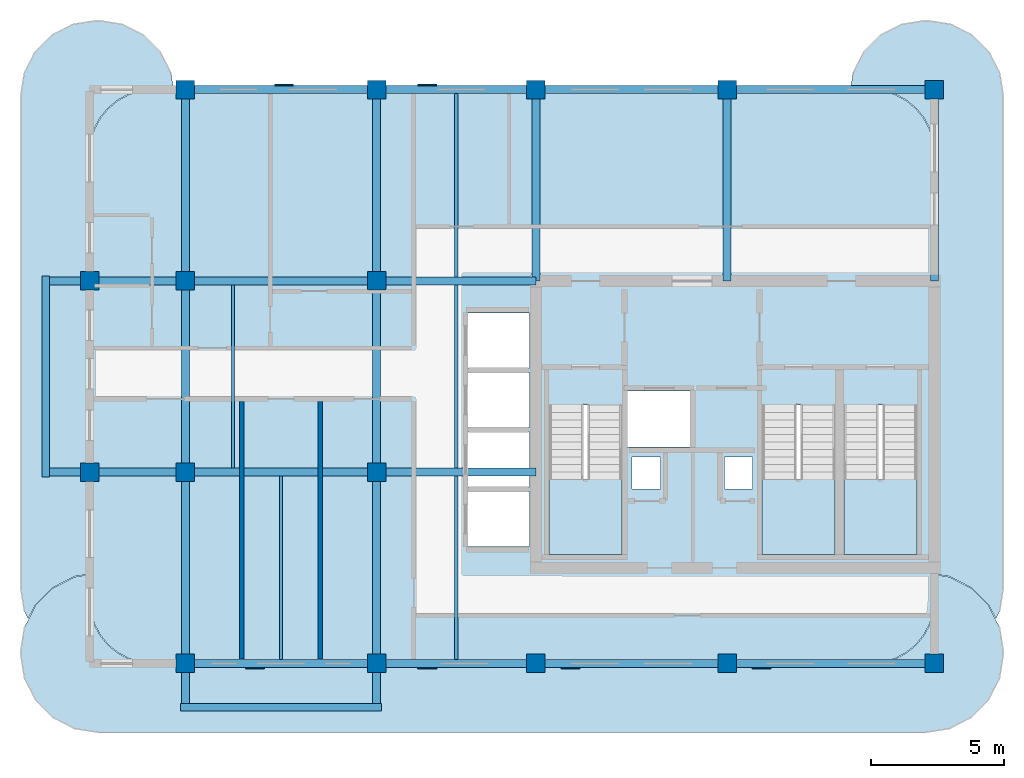
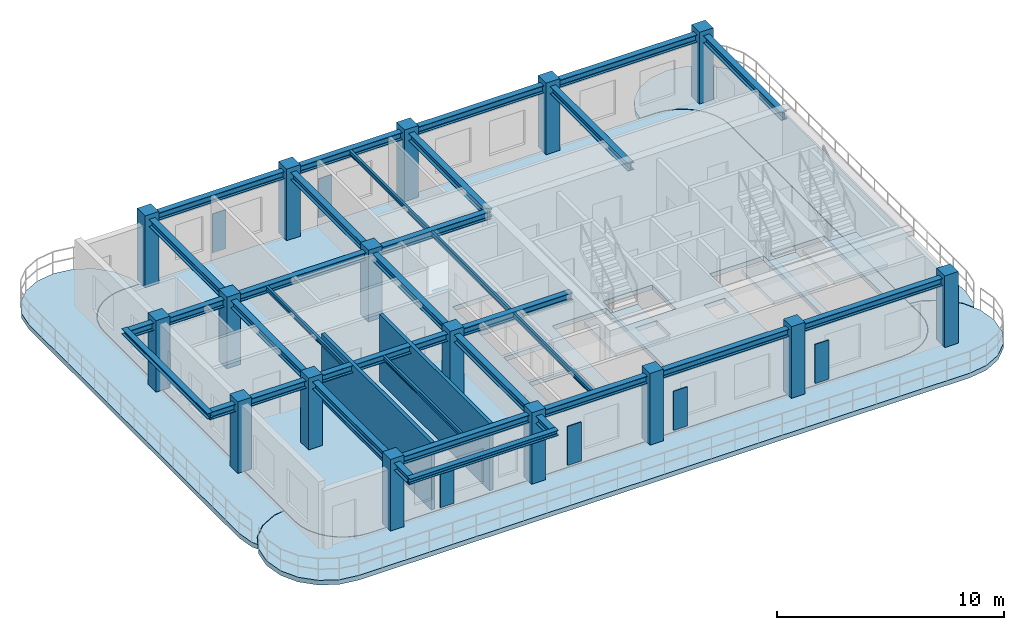
# One storey, part 1 of 7: 28 beams, 16 columns, 7 slabs, 6 plates, 2 walls, 3 elements without a shape of their own.
"""IFC4 building model written with IfcOpenShell, lengths in metres."""

import ifcopenshell
import ifcopenshell.guid

model = None  # the IFC model being written
_history = None  # IfcOwnerHistory: only IFC2X3 demands one
_inside = {}  # id of a spatial element -> (the spatial element, [elements in it])
_under = {}  # id of a project, library or spatial element -> (it, [spatial elements below it])
_declared = {}  # id of a project -> (the project, [libraries it declares])
_typed = {}  # id of a type object -> (the type object, [elements of that type])
_made_of = {}  # id of a material, layer set ... -> (it, [elements and type objects made of it])


def new_model(schema):
    """Start an empty IFC model of exactly this schema.

    Asked for "IFC4X3", IfcOpenShell would pick the latest addendum, in which some entities
    have other attributes; the version numbers below select the first issue.
    IFC2X3 requires an IfcOwnerHistory on every rooted entity: one is made here for all.
    """
    global model, _history
    if schema == "IFC4X3":
        model = ifcopenshell.file(schema_version=(4, 3, 0, 0))
    else:
        model = ifcopenshell.file(schema=schema)
    _inside.clear()
    _under.clear()
    _declared.clear()
    _typed.clear()
    _made_of.clear()
    _history = None
    if model.schema == "IFC2X3":
        org = make("IfcOrganization", Name="unknown")
        user = make(
            "IfcPersonAndOrganization",
            ThePerson=make("IfcPerson", FamilyName="unknown"),
            TheOrganization=org,
        )
        app = make(
            "IfcApplication",
            ApplicationDeveloper=org,
            Version="unknown",
            ApplicationFullName="unknown",
            ApplicationIdentifier="unknown",
        )
        _history = make(
            "IfcOwnerHistory",
            OwningUser=user,
            OwningApplication=app,
            ChangeAction="ADDED",
            CreationDate=0,
        )
    return model


def make(cls, **values):
    """One entity of the class cls with the attributes given. An attribute that is None is left unset."""
    return model.create_entity(
        cls, **{name: value for name, value in values.items() if value is not None}
    )


def rooted(cls, **values):
    """An entity with a GlobalId (a new one), such as an element, a storey or a relation."""
    return make(cls, GlobalId=ifcopenshell.guid.new(), OwnerHistory=_history, **values)


def si_unit(unit_type, name, prefix=None):
    """IfcSIUnit, for example si_unit("LENGTHUNIT", "METRE", prefix="MILLI")."""
    return make("IfcSIUnit", UnitType=unit_type, Prefix=prefix, Name=name)


def derived_unit(unit_type, elements):
    """IfcDerivedUnit: a product of units, each with its exponent."""
    return make(
        "IfcDerivedUnit",
        Elements=[
            make("IfcDerivedUnitElement", Unit=unit, Exponent=power)
            for unit, power in elements
        ],
        UnitType=unit_type,
    )


def assignment(units):
    """IfcUnitAssignment: the units of a project."""
    return None if units is None else make("IfcUnitAssignment", Units=units)


def point(xyz):
    """IfcCartesianPoint."""
    return None if xyz is None else make("IfcCartesianPoint", Coordinates=xyz)


def direction(xyz):
    """IfcDirection."""
    return None if xyz is None else make("IfcDirection", DirectionRatios=xyz)


def frame(location, z_axis=None, x_axis=None):
    """IfcAxis2Placement3D, a coordinate frame: its origin and axes. An axis left out is left unset."""
    return make(
        "IfcAxis2Placement3D",
        Location=point(location),
        Axis=direction(z_axis),
        RefDirection=direction(x_axis),
    )


def frame_2d(location, x_axis=None):
    """IfcAxis2Placement2D, a coordinate frame in the plane: its origin and x axis."""
    return make(
        "IfcAxis2Placement2D", Location=point(location), RefDirection=direction(x_axis)
    )


def origin():
    """The frame at (0, 0, 0) with its axes left unset."""
    return frame((0.0, 0.0, 0.0))


def origin_2d():
    """The frame at (0, 0) in the plane with its x axis left unset."""
    return frame_2d((0.0, 0.0))


def place(relative_to, where):
    """IfcLocalPlacement: puts the frame where relative to a parent placement (None: the world)."""
    return make(
        "IfcLocalPlacement", PlacementRelTo=relative_to, RelativePlacement=where
    )


def context(
    kind, dimensions, precision=None, world=None, true_north=None, identifier=None
):
    """IfcGeometricRepresentationContext, for example the 3D "Model" context."""
    return make(
        "IfcGeometricRepresentationContext",
        ContextIdentifier=identifier,
        ContextType=kind,
        CoordinateSpaceDimension=dimensions,
        Precision=precision,
        WorldCoordinateSystem=world,
        TrueNorth=true_north,
    )


def subcontext(parent, identifier, kind, view, scale=None):
    """IfcGeometricRepresentationSubContext, for example "Body" below "Model"."""
    return make(
        "IfcGeometricRepresentationSubContext",
        ContextIdentifier=identifier,
        ContextType=kind,
        ParentContext=parent,
        TargetScale=scale,
        TargetView=view,
    )


def project(units=None, contexts=None):
    """IfcProject with its units and contexts."""
    return rooted(
        "IfcProject",
        Name="project",
        RepresentationContexts=contexts,
        UnitsInContext=assignment(units),
    )


def spatial(cls, under=None, at=None, **own):
    """A site, building, storey or space (cls), placed at a placement, below another one or the project."""
    s = rooted(cls, ObjectPlacement=at, **own)
    if under is not None:
        _under.setdefault(under.id(), (under, []))[1].append(s)
    return s


def polyline(points):
    """IfcPolyline through the points."""
    return make("IfcPolyline", Points=[point(p) for p in points])


def profile(cls, at=None, kind="AREA", **sizes):
    """A parametric profile (cls). Its sizes go by their IFC names, for example OverallWidth=200.0."""
    return make(cls, ProfileType=kind, Position=at, **sizes)


def rectangle(**sizes):
    """IfcRectangleProfileDef."""
    return profile("IfcRectangleProfileDef", **sizes)


def i_section(**sizes):
    """IfcIShapeProfileDef."""
    return profile("IfcIShapeProfileDef", **sizes)


def outline(outer, holes=None, kind="AREA"):
    """IfcArbitraryClosedProfileDef: a profile drawn as a closed curve; with holes, ...WithVoids."""
    if holes is None:
        return make("IfcArbitraryClosedProfileDef", ProfileType=kind, OuterCurve=outer)
    return make(
        "IfcArbitraryProfileDefWithVoids",
        ProfileType=kind,
        OuterCurve=outer,
        InnerCurves=holes,
    )


def extrude(swept, where, along, depth):
    """IfcExtrudedAreaSolid: the profile swept, set in the frame where, extruded along a direction by depth."""
    return make(
        "IfcExtrudedAreaSolid",
        SweptArea=swept,
        Position=where,
        ExtrudedDirection=direction(along),
        Depth=depth,
    )


def shape(context_of_items, identifier, shape_type, items):
    """IfcShapeRepresentation: the items that make up one representation, for example the "Body"."""
    return make(
        "IfcShapeRepresentation",
        ContextOfItems=context_of_items,
        RepresentationIdentifier=identifier,
        RepresentationType=shape_type,
        Items=items,
    )


def source(mapping_origin, context_of_items, identifier, shape_type, items):
    """IfcRepresentationMap: a shape defined once, which mapped items show again and again."""
    return make(
        "IfcRepresentationMap",
        MappingOrigin=mapping_origin,
        MappedRepresentation=shape(context_of_items, identifier, shape_type, items),
    )


def transform(
    local_origin,
    x_axis=None,
    y_axis=None,
    z_axis=None,
    scale=None,
    scale2=None,
    scale3=None,
    uniform=True,
):
    """IfcCartesianTransformationOperator3D, or its non-uniform kind. x_axis, y_axis, z_axis: its Axis1, 2, 3."""
    if uniform:
        return make(
            "IfcCartesianTransformationOperator3D",
            Axis1=direction(x_axis),
            Axis2=direction(y_axis),
            LocalOrigin=point(local_origin),
            Scale=scale,
            Axis3=direction(z_axis),
        )
    return make(
        "IfcCartesianTransformationOperator3DnonUniform",
        Axis1=direction(x_axis),
        Axis2=direction(y_axis),
        LocalOrigin=point(local_origin),
        Scale=scale,
        Axis3=direction(z_axis),
        Scale2=scale2,
        Scale3=scale3,
    )


def mapped(mapping_source, mapping_target):
    """IfcMappedItem: shows the shape of a source again, moved by a transform."""
    return make(
        "IfcMappedItem", MappingSource=mapping_source, MappingTarget=mapping_target
    )


def material(Name=None, Category=None):
    """IfcMaterial."""
    return make("IfcMaterial", Name=Name, Category=Category)


def layer(
    of_material, thickness, ventilated=None, Name=None, Category=None, Priority=None
):
    """IfcMaterialLayer: one layer of a wall or slab, of a material (None: an air gap)."""
    return make(
        "IfcMaterialLayer",
        Material=of_material,
        LayerThickness=thickness,
        IsVentilated=ventilated,
        Name=Name,
        Category=Category,
        Priority=Priority,
    )


def layer_set(layers, Name=None):
    """IfcMaterialLayerSet."""
    return make("IfcMaterialLayerSet", MaterialLayers=layers, LayerSetName=Name)


def material_profile(
    of_material, cross_section, Name=None, Category=None, Priority=None
):
    """IfcMaterialProfile: a cross section and its material."""
    return make(
        "IfcMaterialProfile",
        Name=Name,
        Material=of_material,
        Profile=cross_section,
        Priority=Priority,
        Category=Category,
    )


def profile_set(profiles, Name=None, composite=None):
    """IfcMaterialProfileSet."""
    return make(
        "IfcMaterialProfileSet",
        Name=Name,
        MaterialProfiles=profiles,
        CompositeProfile=composite,
    )


def made_of(thing, what):
    """Note that an element or type object is made of a material, layer set ...; save() writes the relation."""
    if what is not None:
        _made_of.setdefault(what.id(), (what, []))[1].append(thing)
    return thing


def type_object(cls, material=None, **own):
    """A type object (cls), such as IfcWallType, which elements share."""
    return made_of(rooted(cls, **own), material)


def type_shapes(of_type, sources):
    """Give a type object the sources (RepresentationMaps) that its elements show as mapped items."""
    of_type.RepresentationMaps = sources


def element(
    cls,
    number,
    at=None,
    inside=None,
    cuts=None,
    type_object=None,
    material=None,
    context=None,
    identifier="Body",
    shape_type=None,
    held_by="IfcProductDefinitionShape",
    body=None,
    shapes=None,
    **own,
):
    """One element of the class cls, such as IfcWall. Its Tag is "e" and its number.

    at: its placement. inside: the storey or other place that contains it. cuts: it is an
    opening in that element (IfcRelVoidsElement). A single representation is given by context,
    identifier, shape_type and body (its items); several are given by shapes. held_by: the class
    of the entity that holds the representations. save() writes the other relations.
    """
    e = rooted(cls, Tag="e%d" % number, ObjectPlacement=at, **own)
    if body is not None:
        shapes = [shape(context, identifier, shape_type, body)]
    if shapes is not None:
        e.Representation = make(held_by, Representations=shapes)
    if inside is not None:
        _inside.setdefault(inside.id(), (inside, []))[1].append(e)
    if cuts is not None:
        rooted(
            "IfcRelVoidsElement", RelatingBuildingElement=cuts, RelatedOpeningElement=e
        )
    if type_object is not None:
        _typed.setdefault(type_object.id(), (type_object, []))[1].append(e)
    return made_of(e, material)


def aggregate(whole, parts):
    """IfcRelAggregates: a whole, such as a stair, and the parts it consists of."""
    return rooted("IfcRelAggregates", RelatingObject=whole, RelatedObjects=parts)


def save(model, path):
    """Write the relations noted so far, then the file.

    IfcRelAggregates (storeys below a building ...), IfcRelContainedInSpatialStructure (elements
    in a storey), IfcRelDefinesByType, IfcRelAssociatesMaterial and IfcRelDeclares: one each for
    every whole, place, type object, material and project.
    """
    for whole, parts in _under.values():
        aggregate(whole, parts)
    for where, things in _inside.values():
        rooted(
            "IfcRelContainedInSpatialStructure",
            RelatedElements=things,
            RelatingStructure=where,
        )
    for kind, things in _typed.values():
        rooted("IfcRelDefinesByType", RelatedObjects=things, RelatingType=kind)
    for what, things in _made_of.values():
        rooted("IfcRelAssociatesMaterial", RelatedObjects=things, RelatingMaterial=what)
    for by, libraries in _declared.values():
        rooted("IfcRelDeclares", RelatingContext=by, RelatedDefinitions=libraries)
    model.write(path)


model = new_model("IFC4")

# Units and contexts
model_context = context("Model", 3, precision=1e-05, world=origin(), true_north=direction((0.0, 1.0)))
body_context = subcontext(model_context, "Body", "Model", "MODEL_VIEW")
ifc_project = project(units=[si_unit("LENGTHUNIT", "METRE"), si_unit("AREAUNIT", "SQUARE_METRE"), si_unit("VOLUMEUNIT", "CUBIC_METRE"), si_unit("PLANEANGLEUNIT", "RADIAN"), si_unit("MASSUNIT", "GRAM", prefix="KILO"), si_unit("THERMODYNAMICTEMPERATUREUNIT", "KELVIN"), si_unit("POWERUNIT", "WATT"), derived_unit("THERMALTRANSMITTANCEUNIT", [(si_unit("POWERUNIT", "WATT"), 1), (si_unit("AREAUNIT", "SQUARE_METRE"), -1), (si_unit("THERMODYNAMICTEMPERATUREUNIT", "KELVIN"), -1)])], contexts=[model_context])

# Site, building, storey
site_placement = place(None, origin())
site = spatial("IfcSite", under=ifc_project, at=site_placement, CompositionType="ELEMENT")
building_placement = place(site_placement, origin())
building = spatial("IfcBuilding", under=site, at=building_placement, Name="Zahravan Archway Hotel and Residences", CompositionType="ELEMENT")
storey_placement = place(building_placement, frame((0.0, 0.0, 278.89990234375)))
storey = spatial("IfcBuildingStorey", under=building, at=storey_placement, Name="L70", CompositionType="ELEMENT", Elevation=278.89990234375)

# Columns
ifc_material_1 = material(Name="Concrete C50/60", Category="concrete")
ifc_material_profile_1 = material_profile(ifc_material_1, rectangle(XDim=0.699951171875, YDim=0.699951171875, at=origin_2d()), Name="RC-COL-700x700", Category="concrete")
ifc_profile_set_1 = profile_set([ifc_material_profile_1], Name="Concrete C50/60")
column_type = type_object("IfcColumnType", Name="COL-RC-700", PredefinedType="COLUMN", material=ifc_profile_set_1)
shared_shape_1 = source(origin(), body_context, "Body", "SweptSolid", [
    extrude(rectangle(XDim=0.699951171875, YDim=0.699951171875, at=origin_2d()), origin(), (0.0, 0.0, 1.0), 3.85009765625),
])
for number, where, z_axis, x_axis, name in (
    (1, (21.60009765625, 0.0, 0.0), (0.0, 0.0, 1.0), (1.0, 0.0, 0.0), "L70 Column 4-A"),
    (2, (21.60009765625, 7.199951171875, 0.0), (0.0, 0.0, 1.0), (1.0, 0.0, 0.0), "L70 Column 4-B"),
    (3, (21.60009765625, 14.39990234375, 0.0), (0.0, 0.0, 1.0), (1.0, 0.0, 0.0), "L70 Column 4-C"),
    (4, (21.60009765625, 21.60009765625, 0.0), (0.0, 0.0, 1.0), (1.0, 0.0, 0.0), "L70 Column 4-D"),
    (5, (28.800048828125, 0.0, 0.0), (0.0, 0.0, 1.0), (1.0, 0.0, 0.0), "L70 Column 5-A"),
    (6, (28.800048828125, 7.199951171875, 0.0), (0.0, 0.0, 1.0), (1.0, 0.0, 0.0), "L70 Column 5-B"),
    (7, (28.800048828125, 14.39990234375, 0.0), (0.0, 0.0, 1.0), (1.0, 0.0, 0.0), "L70 Column 5-C"),
    (8, (28.800048828125, 21.60009765625, 0.0), (0.0, 0.0, 1.0), (1.0, 0.0, 0.0), "L70 Column 5-D"),
    (9, (34.800048828125, 0.0, 0.0), (0.0, 0.0, 1.0), (1.0, 0.0, 0.0), "L70 Column 6-A"),
    (10, (34.800048828125, 21.60009765625, 0.0), (0.0, 0.0, 1.0), (1.0, 0.0, 0.0), "L70 Column 6-D"),
    (11, (42.0, 0.0, 0.0), (0.0, 0.0, 1.0), (1.0, 0.0, 0.0), "L70 Column 7-A"),
    (12, (42.0, 21.60009765625, 0.0), (0.0, 0.0, 1.0), (1.0, 0.0, 0.0), "L70 Column 7-D"),
    (13, (49.800048828125, 0.0, 0.0), (0.0, 0.0, 1.0), (1.0, 0.0, 0.0), "L70 Column 8-A"),
    (14, (49.800048828125, 21.60009765625, 0.0), (0.0, 0.0, 1.0), (1.0, 0.0, 0.0), "L70 Column 8-D"),
    (15, (18.0, 7.199951171875, 0.0), (0.0, 0.0, 1.0), (1.0, 0.0, 0.0), "L70 Column 3W-B"),
    (16, (18.0, 14.39990234375, 0.0), (0.0, 0.0, 1.0), (1.0, 0.0, 0.0), "L70 Column 3W-C"),
):
    element("IfcColumn", number, at=place(storey_placement, frame(where, z_axis=z_axis, x_axis=x_axis)), inside=storey, type_object=column_type, Name=name, PredefinedType="COLUMN", context=body_context, shape_type="MappedRepresentation", body=[
        mapped(shared_shape_1, transform((0.0, 0.0, 0.0), scale=1.0)),
    ])

# Beams
ifc_material_2 = material(Name="Structural Steel S355JR", Category="steel")
ifc_material_profile_2 = material_profile(ifc_material_2, i_section(OverallWidth=0.280029296875, OverallDepth=0.280029296875, WebThickness=0.010498046875, FlangeThickness=0.01806640625, FilletRadius=0.02392578125, at=origin_2d()), Name="HEB 280", Category="steel")
ifc_profile_set_2 = profile_set([ifc_material_profile_2], Name="Structural Steel S355JR")
beam_type_1 = type_object("IfcBeamType", Name="BM-SPN-HEB280", PredefinedType="SPANDREL", material=ifc_profile_set_2)
shared_shape_2 = source(origin(), body_context, "Body", "SweptSolid", [
    extrude(i_section(OverallWidth=0.280029296875, OverallDepth=0.280029296875, WebThickness=0.010498046875, FlangeThickness=0.01806640625, FilletRadius=0.02392578125, at=origin_2d()), origin(), (0.0, 0.0, 1.0), 7.56005859375),
])
type_shapes(beam_type_1, [shared_shape_2])
for number, where, z_axis, x_axis, name in (
    (17, (16.35009765625, 7.02001953125, 3.460205078125), (0.0, 1.0, 0.0), (-1.0, 0.0, 0.0), "L71 WA Balcony Edge Spandrel"),
    (18, (21.419921875, -1.64990234375, 3.460205078125), (1.0, 0.0, 0.0), (0.0, 1.0, 0.0), "L71 SA Balcony Edge Spandrel"),
):
    element("IfcBeam", number, at=place(storey_placement, frame(where, z_axis=z_axis, x_axis=x_axis)), inside=storey, type_object=beam_type_1, Name=name, PredefinedType="SPANDREL", context=body_context, shape_type="MappedRepresentation", body=[
        mapped(shared_shape_2, transform((0.0, 0.0, 0.0), scale=1.0)),
    ])
ifc_material_profile_3 = material_profile(ifc_material_2, i_section(OverallWidth=0.300048828125, OverallDepth=0.39990234375, WebThickness=0.013427734375, FlangeThickness=0.02392578125, FilletRadius=0.027099609375, at=origin_2d()), Name="HEB 400", Category="steel")
ifc_profile_set_3 = profile_set([ifc_material_profile_3], Name="Structural Steel S355JR")
beam_type_2 = type_object("IfcBeamType", Name="BM-PRI-HEB400", PredefinedType="BEAM", material=ifc_profile_set_3)
shared_shape_3 = source(origin(), body_context, "Body", "SweptSolid", [
    extrude(i_section(OverallWidth=0.300048828125, OverallDepth=0.39990234375, WebThickness=0.013427734375, FlangeThickness=0.02392578125, FilletRadius=0.027099609375, at=origin_2d()), origin(), (0.0, 0.0, 1.0), 7.199951171875),
])
type_shapes(beam_type_2, [shared_shape_3])
for number, where, z_axis, x_axis, name in (
    (19, (21.60009765625, 0.0, 3.400146484375), (1.0, 0.0, 0.0), (0.0, 1.0, 0.0), "L70 Primary Girder EW-01"),
    (20, (34.800048828125, 0.0, 3.400146484375), (1.0, 0.0, 0.0), (0.0, 1.0, 0.0), "L70 Primary Girder EW-03"),
    (21, (21.60009765625, 21.60009765625, 3.400146484375), (1.0, 0.0, 0.0), (0.0, 1.0, 0.0), "L70 Primary Girder EW-09"),
    (22, (34.800048828125, 21.60009765625, 3.400146484375), (1.0, 0.0, 0.0), (0.0, 1.0, 0.0), "L70 Primary Girder EW-11"),
    (23, (21.60009765625, 7.199951171875, 3.400146484375), (0.0, 1.0, 0.0), (-1.0, 0.0, 0.0), "L70 Primary Girder NS-14"),
    (24, (28.800048828125, 7.199951171875, 3.400146484375), (0.0, 1.0, 0.0), (-1.0, 0.0, 0.0), "L70 Primary Girder NS-17"),
):
    element("IfcBeam", number, at=place(storey_placement, frame(where, z_axis=z_axis, x_axis=x_axis)), inside=storey, type_object=beam_type_2, Name=name, PredefinedType="BEAM", context=body_context, shape_type="MappedRepresentation", body=[
        mapped(shared_shape_3, transform((0.0, 0.0, 0.0), scale=1.0)),
    ])
shared_shape_4 = source(origin(), body_context, "Body", "SweptSolid", [
    extrude(i_section(OverallWidth=0.300048828125, OverallDepth=0.39990234375, WebThickness=0.013427734375, FlangeThickness=0.02392578125, FilletRadius=0.027099609375, at=origin_2d()), origin(), (0.0, 0.0, 1.0), 6.0),
])
for number, where, z_axis, x_axis, name in (
    (25, (28.800048828125, 0.0, 3.400146484375), (1.0, 0.0, 0.0), (0.0, 1.0, 0.0), "L70 Primary Girder EW-02"),
    (26, (28.800048828125, 7.199951171875, 3.400146484375), (1.0, 0.0, 0.0), (0.0, 1.0, 0.0), "L70 Primary Girder EW-06"),
    (27, (28.800048828125, 14.39990234375, 3.400146484375), (1.0, 0.0, 0.0), (0.0, 1.0, 0.0), "L70 Primary Girder EW-08"),
    (28, (28.800048828125, 21.60009765625, 3.400146484375), (1.0, 0.0, 0.0), (0.0, 1.0, 0.0), "L70 Primary Girder EW-10"),
):
    element("IfcBeam", number, at=place(storey_placement, frame(where, z_axis=z_axis, x_axis=x_axis)), inside=storey, type_object=beam_type_2, Name=name, PredefinedType="BEAM", context=body_context, shape_type="MappedRepresentation", body=[
        mapped(shared_shape_4, transform((0.0, 0.0, 0.0), scale=1.0)),
    ])
shared_shape_5 = source(origin(), body_context, "Body", "SweptSolid", [
    extrude(i_section(OverallWidth=0.300048828125, OverallDepth=0.39990234375, WebThickness=0.013427734375, FlangeThickness=0.02392578125, FilletRadius=0.027099609375, at=origin_2d()), origin(), (0.0, 0.0, 1.0), 7.800048828125),
])
for number, where, z_axis, x_axis, name in (
    (29, (42.0, 0.0, 3.400146484375), (1.0, 0.0, 0.0), (0.0, 1.0, 0.0), "L70 Primary Girder EW-04"),
    (30, (42.0, 21.60009765625, 3.400146484375), (1.0, 0.0, 0.0), (0.0, 1.0, 0.0), "L70 Primary Girder EW-12"),
):
    element("IfcBeam", number, at=place(storey_placement, frame(where, z_axis=z_axis, x_axis=x_axis)), inside=storey, type_object=beam_type_2, Name=name, PredefinedType="BEAM", context=body_context, shape_type="MappedRepresentation", body=[
        mapped(shared_shape_5, transform((0.0, 0.0, 0.0), scale=1.0)),
    ])
shared_shape_6 = source(origin(), body_context, "Body", "SweptSolid", [
    extrude(i_section(OverallWidth=0.300048828125, OverallDepth=0.39990234375, WebThickness=0.013427734375, FlangeThickness=0.02392578125, FilletRadius=0.027099609375, at=origin_2d()), origin(), (0.0, 0.0, 1.0), 7.2001953125),
])
for number, where, z_axis, x_axis, name in (
    (31, (21.60009765625, 14.39990234375, 3.400146484375), (0.0, 1.0, 0.0), (-1.0, 0.0, 0.0), "L70 Primary Girder NS-15"),
    (32, (28.800048828125, 14.39990234375, 3.400146484375), (0.0, 1.0, 0.0), (-1.0, 0.0, 0.0), "L70 Primary Girder NS-18"),
    (33, (34.800048828125, 14.39990234375, 3.400146484375), (0.0, 1.0, 0.0), (-1.0, 0.0, 0.0), "L70 Primary Girder NS-19"),
    (34, (42.0, 14.39990234375, 3.400146484375), (0.0, 1.0, 0.0), (-1.0, 0.0, 0.0), "L70 Primary Girder NS-20"),
    (35, (49.800048828125, 14.39990234375, 3.400146484375), (0.0, 1.0, 0.0), (-1.0, 0.0, 0.0), "L70 Primary Girder NS-21"),
):
    element("IfcBeam", number, at=place(storey_placement, frame(where, z_axis=z_axis, x_axis=x_axis)), inside=storey, type_object=beam_type_2, Name=name, PredefinedType="BEAM", context=body_context, shape_type="MappedRepresentation", body=[
        mapped(shared_shape_6, transform((0.0, 0.0, 0.0), scale=1.0)),
    ])
ifc_material_profile_4 = material_profile(ifc_material_2, i_section(OverallWidth=0.1201171875, OverallDepth=0.239990234375, WebThickness=0.006103515625, FlangeThickness=0.009765625, FilletRadius=0.014892578125, at=origin_2d()), Name="IPE 240", Category="steel")
ifc_profile_set_4 = profile_set([ifc_material_profile_4], Name="Structural Steel S355JR")
beam_type_3 = type_object("IfcBeamType", Name="BM-JST-IPE240", PredefinedType="JOIST", material=ifc_profile_set_4)
shared_shape_7 = source(origin(), body_context, "Body", "SweptSolid", [
    extrude(i_section(OverallWidth=0.1201171875, OverallDepth=0.239990234375, WebThickness=0.006103515625, FlangeThickness=0.009765625, FilletRadius=0.014892578125, at=origin_2d()), origin(), (0.0, 0.0, 1.0), 6.904052734375),
])
type_shapes(beam_type_3, [shared_shape_7])
for number, where, z_axis, x_axis, name in (
    (36, (25.199951171875, 0.14794921875, 3.47998046875), (0.0, 1.0, 0.0), (-1.0, 0.0, 0.0), "L70 Composite Floor Joist 01"),
    (37, (31.800048828125, 0.14794921875, 3.47998046875), (0.0, 1.0, 0.0), (-1.0, 0.0, 0.0), "L70 Composite Floor Joist 02"),
    (38, (23.39990234375, 7.347900390625, 3.47998046875), (0.0, 1.0, 0.0), (-1.0, 0.0, 0.0), "L70 Composite Floor Joist 03"),
    (39, (31.800048828125, 7.347900390625, 3.47998046875), (0.0, 1.0, 0.0), (-1.0, 0.0, 0.0), "L70 Composite Floor Joist 04"),
):
    element("IfcBeam", number, at=place(storey_placement, frame(where, z_axis=z_axis, x_axis=x_axis)), inside=storey, type_object=beam_type_3, Name=name, PredefinedType="JOIST", context=body_context, shape_type="MappedRepresentation", body=[
        mapped(shared_shape_7, transform((0.0, 0.0, 0.0), scale=1.0)),
    ])
shared_shape_8 = source(origin(), body_context, "Body", "SweptSolid", [
    extrude(i_section(OverallWidth=0.1201171875, OverallDepth=0.239990234375, WebThickness=0.006103515625, FlangeThickness=0.009765625, FilletRadius=0.014892578125, at=origin_2d()), origin(), (0.0, 0.0, 1.0), 6.90380859375),
])
beam_placement = place(storey_placement, frame((31.800048828125, 14.548095703125, 3.47998046875), z_axis=(0.0, 1.0, 0.0), x_axis=(-1.0, 0.0, 0.0)))
element("IfcBeam", 40, at=beam_placement, inside=storey, type_object=beam_type_3, Name="L70 Composite Floor Joist 05", PredefinedType="JOIST", context=body_context, shape_type="MappedRepresentation", body=[
    mapped(shared_shape_8, transform((0.0, 0.0, 0.0), scale=1.0)),
])
shared_shape_9 = source(origin(), body_context, "Body", "SweptSolid", [
    extrude(i_section(OverallWidth=0.300048828125, OverallDepth=0.39990234375, WebThickness=0.013427734375, FlangeThickness=0.02392578125, FilletRadius=0.027099609375, at=origin_2d()), origin(), (0.0, 0.0, 1.0), 12.449951171875),
])
for number, where, z_axis, x_axis, name in (
    (41, (16.35009765625, 7.199951171875, 3.400146484375), (1.0, 0.0, 0.0), (0.0, 1.0, 0.0), "L70 Primary Girder EW-05"),
    (42, (16.35009765625, 14.39990234375, 3.400146484375), (1.0, 0.0, 0.0), (0.0, 1.0, 0.0), "L70 Primary Girder EW-07"),
):
    element("IfcBeam", number, at=place(storey_placement, frame(where, z_axis=z_axis, x_axis=x_axis)), inside=storey, type_object=beam_type_2, Name=name, PredefinedType="BEAM", context=body_context, shape_type="MappedRepresentation", body=[
        mapped(shared_shape_9, transform((0.0, 0.0, 0.0), scale=1.0)),
    ])
shared_shape_10 = source(origin(), body_context, "Body", "SweptSolid", [
    extrude(i_section(OverallWidth=0.300048828125, OverallDepth=0.39990234375, WebThickness=0.013427734375, FlangeThickness=0.02392578125, FilletRadius=0.027099609375, at=origin_2d()), origin(), (0.0, 0.0, 1.0), 8.849853515625),
])
for number, where, z_axis, x_axis, name in (
    (43, (21.60009765625, -1.64990234375, 3.400146484375), (0.0, 1.0, 0.0), (-1.0, 0.0, 0.0), "L70 Primary Girder NS-13"),
    (44, (28.800048828125, -1.64990234375, 3.400146484375), (0.0, 1.0, 0.0), (-1.0, 0.0, 0.0), "L70 Primary Girder NS-16"),
):
    element("IfcBeam", number, at=place(storey_placement, frame(where, z_axis=z_axis, x_axis=x_axis)), inside=storey, type_object=beam_type_2, Name=name, PredefinedType="BEAM", context=body_context, shape_type="MappedRepresentation", body=[
        mapped(shared_shape_10, transform((0.0, 0.0, 0.0), scale=1.0)),
    ])

# Slabs
ifc_material_3 = material(Name="Concrete C45/55", Category="concrete")
ifc_layer_1 = layer(ifc_material_3, 0.25, Name="Concrete C45/55", Category="concrete")
ifc_layer_set_1 = layer_set([ifc_layer_1], Name="Concrete C45/55")
slab_type_1 = type_object("IfcSlabType", Name="SLB-BALC-250", PredefinedType="FLOOR", material=ifc_layer_set_1)
slab_1_placement = place(storey_placement, frame((0.0, 0.0, -0.25)))
element("IfcSlab", 45, at=slab_1_placement, inside=storey, type_object=slab_type_1, Name="L70 Wing A South Rounded Balcony Band", PredefinedType="FLOOR", context=body_context, shape_type="SweptSolid", body=[
    extrude(outline(polyline([(50.361572265625, 3.255615234375), (51.18408203125, 2.836669921875), (51.836669921875, 2.18408203125), (52.255615234375, 1.361572265625), (52.39990234375, 0.449951171875), (52.39990234375, 0.35009765625), (52.255615234375, -0.5615234375), (51.836669921875, -1.384033203125), (51.18408203125, -2.03662109375), (50.361572265625, -2.45556640625), (49.449951171875, -2.60009765625), (18.35009765625, -2.60009765625), (17.4384765625, -2.45556640625), (16.615966796875, -2.03662109375), (15.96337890625, -1.384033203125), (15.54443359375, -0.5615234375), (15.39990234375, 0.35009765625), (15.39990234375, 0.449951171875), (15.54443359375, 1.361572265625), (15.96337890625, 2.18408203125), (16.615966796875, 2.836669921875), (17.4384765625, 3.255615234375), (17.97998046875, 3.34130859375), (17.97998046875, 2.39990234375), (17.97998046875, 2.39794921875), (18.026123046875, 1.9296875), (18.026611328125, 1.927978515625), (18.027099609375, 1.926025390625), (18.16357421875, 1.475830078125), (18.164306640625, 1.473876953125), (18.1650390625, 1.47216796875), (18.386962890625, 1.05712890625), (18.387939453125, 1.055419921875), (18.388916015625, 1.053955078125), (18.6875, 0.690185546875), (18.688720703125, 0.688720703125), (18.690185546875, 0.6875), (19.053955078125, 0.388916015625), (19.055419921875, 0.387939453125), (19.05712890625, 0.386962890625), (19.47216796875, 0.1650390625), (19.473876953125, 0.164306640625), (19.475830078125, 0.16357421875), (19.926025390625, 0.027099609375), (19.927978515625, 0.026611328125), (19.9296875, 0.026123046875), (20.39794921875, -0.02001953125), (20.39990234375, -0.02001953125), (47.39990234375, -0.02001953125), (47.402099609375, -0.02001953125), (47.8701171875, 0.026123046875), (47.8720703125, 0.026611328125), (47.8740234375, 0.027099609375), (48.32421875, 0.16357421875), (48.326171875, 0.164306640625), (48.327880859375, 0.1650390625), (48.742919921875, 0.386962890625), (48.744384765625, 0.387939453125), (48.74609375, 0.388916015625), (49.10986328125, 0.6875), (49.111083984375, 0.688720703125), (49.112548828125, 0.690185546875), (49.410888671875, 1.053955078125), (49.412109375, 1.055419921875), (49.4130859375, 1.05712890625), (49.635009765625, 1.47216796875), (49.6357421875, 1.473876953125), (49.636474609375, 1.475830078125), (49.77294921875, 1.926025390625), (49.7734375, 1.927978515625), (49.773681640625, 1.9296875), (49.81982421875, 2.39794921875), (49.820068359375, 2.39990234375), (49.820068359375, 3.34130859375), (50.361572265625, 3.255615234375)])), origin(), (0.0, 0.0, 1.0), 0.25),
])
slab_2_placement = place(storey_placement, frame((0.0, 0.0, -0.25)))
element("IfcSlab", 46, at=slab_2_placement, inside=storey, type_object=slab_type_1, Name="L70 Wing A East Rounded Balcony Band", PredefinedType="FLOOR", context=body_context, shape_type="SweptSolid", body=[
    extrude(outline(polyline([(46.739501953125, 22.230712890625), (47.144287109375, 23.025146484375), (47.77490234375, 23.65576171875), (48.5693359375, 24.060546875), (49.449951171875, 24.199951171875), (49.550048828125, 24.199951171875), (50.4306640625, 24.060546875), (51.22509765625, 23.65576171875), (51.855712890625, 23.025146484375), (52.260498046875, 22.230712890625), (52.39990234375, 21.35009765625), (52.39990234375, 2.85009765625), (52.260498046875, 1.96923828125), (52.114501953125, 1.6826171875), (51.8544921875, 2.193115234375), (51.853515625, 2.19482421875), (51.85205078125, 2.196533203125), (51.8505859375, 2.197998046875), (51.197998046875, 2.8505859375), (51.196533203125, 2.85205078125), (51.19482421875, 2.853515625), (51.193115234375, 2.8544921875), (50.37060546875, 3.2734375), (50.368896484375, 3.2744140625), (50.36669921875, 3.27490234375), (50.36474609375, 3.275390625), (49.822998046875, 3.361083984375), (49.8212890625, 3.361328125), (49.820068359375, 3.361328125), (49.820068359375, 19.199951171875), (49.81982421875, 19.201904296875), (49.773681640625, 19.670166015625), (49.7734375, 19.672119140625), (49.77294921875, 19.674072265625), (49.636474609375, 20.124267578125), (49.6357421875, 20.126220703125), (49.635009765625, 20.127685546875), (49.4130859375, 20.542724609375), (49.412109375, 20.54443359375), (49.410888671875, 20.546142578125), (49.112548828125, 20.909912109375), (49.111083984375, 20.9111328125), (49.10986328125, 20.91259765625), (48.74609375, 21.2109375), (48.744384765625, 21.212158203125), (48.742919921875, 21.213134765625), (48.327880859375, 21.434814453125), (48.326171875, 21.435791015625), (48.32421875, 21.436279296875), (47.8740234375, 21.572998046875), (47.8720703125, 21.573486328125), (47.8701171875, 21.57373046875), (47.402099609375, 21.619873046875), (47.39990234375, 21.6201171875), (46.642822265625, 21.6201171875), (46.739501953125, 22.230712890625)])), origin(), (0.0, 0.0, 1.0), 0.25),
])
slab_3_placement = place(storey_placement, frame((0.0, 0.0, -0.25)))
element("IfcSlab", 47, at=slab_3_placement, inside=storey, type_object=slab_type_1, Name="L70 Wing A West Rounded Balcony Band", PredefinedType="FLOOR", context=body_context, shape_type="SweptSolid", body=[
    extrude(outline(polyline([(15.53955078125, 1.96923828125), (15.39990234375, 2.85009765625), (15.39990234375, 21.35009765625), (15.53955078125, 22.230712890625), (15.9443359375, 23.025146484375), (16.57470703125, 23.65576171875), (17.369384765625, 24.060546875), (18.25, 24.199951171875), (18.35009765625, 24.199951171875), (19.230712890625, 24.060546875), (20.025146484375, 23.65576171875), (20.65576171875, 23.025146484375), (21.060546875, 22.230712890625), (21.1572265625, 21.6201171875), (20.39990234375, 21.6201171875), (20.39794921875, 21.619873046875), (19.9296875, 21.57373046875), (19.927978515625, 21.573486328125), (19.926025390625, 21.572998046875), (19.475830078125, 21.436279296875), (19.473876953125, 21.435791015625), (19.47216796875, 21.434814453125), (19.05712890625, 21.213134765625), (19.055419921875, 21.212158203125), (19.053955078125, 21.2109375), (18.690185546875, 20.91259765625), (18.688720703125, 20.9111328125), (18.6875, 20.909912109375), (18.388916015625, 20.546142578125), (18.387939453125, 20.54443359375), (18.386962890625, 20.542724609375), (18.1650390625, 20.127685546875), (18.164306640625, 20.126220703125), (18.16357421875, 20.124267578125), (18.027099609375, 19.674072265625), (18.026611328125, 19.672119140625), (18.026123046875, 19.670166015625), (17.97998046875, 19.201904296875), (17.97998046875, 19.199951171875), (17.97998046875, 3.361328125), (17.978759765625, 3.361328125), (17.976806640625, 3.361083984375), (17.435302734375, 3.275390625), (17.43310546875, 3.27490234375), (17.43115234375, 3.2744140625), (17.42919921875, 3.2734375), (16.60693359375, 2.8544921875), (16.60498046875, 2.853515625), (16.603515625, 2.85205078125), (16.601806640625, 2.8505859375), (15.94921875, 2.197998046875), (15.947998046875, 2.196533203125), (15.946533203125, 2.19482421875), (15.945556640625, 2.193115234375), (15.685546875, 1.6826171875), (15.53955078125, 1.96923828125)])), origin(), (0.0, 0.0, 1.0), 0.25),
])
ifc_layer_2 = layer(ifc_material_3, 0.25, Name="Concrete C45/55", Category="concrete")
ifc_layer_set_2 = layer_set([ifc_layer_2], Name="Concrete C45/55")
slab_type_2 = type_object("IfcSlabType", Name="SLB-FLR-250", PredefinedType="FLOOR", material=ifc_layer_set_2)
slab_4_placement = place(storey_placement, frame((0.0, 0.0, -0.25)))
element("IfcSlab", 48, at=slab_4_placement, inside=storey, type_object=slab_type_2, Name="L70 Floor Slab WA", PredefinedType="FLOOR", context=body_context, shape_type="SweptSolid", body=[
    extrude(outline(polyline([(47.39990234375, 0.0), (47.8681640625, 0.046142578125), (48.318359375, 0.1826171875), (48.7333984375, 0.404541015625), (49.09716796875, 0.702880859375), (49.3955078125, 1.066650390625), (49.6171875, 1.481689453125), (49.75390625, 1.931884765625), (49.800048828125, 2.39990234375), (49.800048828125, 19.199951171875), (49.75390625, 19.668212890625), (49.6171875, 20.118408203125), (49.3955078125, 20.533447265625), (49.09716796875, 20.897216796875), (48.7333984375, 21.195556640625), (48.318359375, 21.417236328125), (47.8681640625, 21.553955078125), (47.39990234375, 21.60009765625), (20.39990234375, 21.60009765625), (19.931884765625, 21.553955078125), (19.481689453125, 21.417236328125), (19.066650390625, 21.195556640625), (18.702880859375, 20.897216796875), (18.404541015625, 20.533447265625), (18.1826171875, 20.118408203125), (18.046142578125, 19.668212890625), (18.0, 19.199951171875), (18.0, 2.39990234375), (18.046142578125, 1.931884765625), (18.1826171875, 1.481689453125), (18.404541015625, 1.066650390625), (18.702880859375, 0.702880859375), (19.066650390625, 0.404541015625), (19.481689453125, 0.1826171875), (19.931884765625, 0.046142578125), (20.39990234375, 0.0), (47.39990234375, 0.0)]), holes=[polyline([(35.300048828125, 9.72998046875), (35.300048828125, 4.10009765625), (38.0400390625, 4.10009765625), (38.0400390625, 9.72998046875), (35.300048828125, 9.72998046875)]), polyline([(43.320068359375, 9.72998046875), (43.320068359375, 4.10009765625), (46.06005859375, 4.10009765625), (46.06005859375, 9.72998046875), (43.320068359375, 9.72998046875)]), polyline([(46.39990234375, 9.72998046875), (46.39990234375, 4.10009765625), (49.139892578125, 4.10009765625), (49.139892578125, 9.72998046875), (46.39990234375, 9.72998046875)]), polyline([(38.179931640625, 8.14990234375), (40.699951171875, 8.14990234375), (40.699951171875, 10.25), (38.179931640625, 10.25), (38.179931640625, 8.14990234375)]), polyline([(32.25, 4.39990234375), (34.550048828125, 4.39990234375), (34.550048828125, 6.47998046875), (32.25, 6.47998046875), (32.25, 4.39990234375)]), polyline([(32.25, 6.639892578125), (34.550048828125, 6.639892578125), (34.550048828125, 8.719970703125), (32.25, 8.719970703125), (32.25, 6.639892578125)]), polyline([(32.25, 8.8798828125), (34.550048828125, 8.8798828125), (34.550048828125, 10.9599609375), (32.25, 10.9599609375), (32.25, 8.8798828125)]), polyline([(32.25, 11.1201171875), (34.550048828125, 11.1201171875), (34.550048828125, 13.199951171875), (32.25, 13.199951171875), (32.25, 11.1201171875)]), polyline([(38.419921875, 6.56005859375), (39.5, 6.56005859375), (39.5, 7.780029296875), (38.419921875, 7.780029296875), (38.419921875, 6.56005859375)]), polyline([(41.89990234375, 6.56005859375), (42.9599609375, 6.56005859375), (42.9599609375, 7.780029296875), (41.89990234375, 7.780029296875), (41.89990234375, 6.56005859375)])]), origin(), (0.0, 0.0, 1.0), 0.25),
])

# Stair, slab
stair_type = type_object("IfcStairType", Name="STR-CORE-1300", PredefinedType="HALF_TURN_STAIR", material=ifc_material_1)
stair_1_placement = place(storey_placement, origin())
stair_1 = element("IfcStair", 49, at=stair_1_placement, inside=storey, type_object=stair_type, Name="L70 Core A Exit Stair 1", PredefinedType="HALF_TURN_STAIR")
ifc_layer_3 = layer(ifc_material_1, 0.199951171875, Name="Concrete C50/60", Category="concrete")
ifc_layer_set_3 = layer_set([ifc_layer_3], Name="Concrete C50/60")
slab_type_3 = type_object("IfcSlabType", Name="SLB-LND-200", PredefinedType="LANDING", material=ifc_layer_set_3)
slab_5_placement = place(storey_placement, frame((0.0, 0.0, 1.72509765625)))
slab_5 = element("IfcSlab", 50, at=slab_5_placement, type_object=slab_type_3, Name="ST-A1 landing 1", PredefinedType="LANDING", context=body_context, shape_type="SweptSolid", body=[
    extrude(outline(polyline([(35.300048828125, 6.929931640625), (35.300048828125, 4.10009765625), (38.0400390625, 4.10009765625), (38.0400390625, 6.929931640625), (35.300048828125, 6.929931640625)])), origin(), (0.0, 0.0, 1.0), 0.199951171875),
])
aggregate(stair_1, [slab_5])

stair_2_placement = place(storey_placement, origin())
stair_2 = element("IfcStair", 51, at=stair_2_placement, inside=storey, type_object=stair_type, Name="L70 Core A Exit Stair 2", PredefinedType="HALF_TURN_STAIR")
slab_6_placement = place(storey_placement, frame((0.0, 0.0, 1.72509765625)))
slab_6 = element("IfcSlab", 52, at=slab_6_placement, type_object=slab_type_3, Name="ST-A2 landing 1", PredefinedType="LANDING", context=body_context, shape_type="SweptSolid", body=[
    extrude(outline(polyline([(43.320068359375, 6.929931640625), (43.320068359375, 4.10009765625), (46.06005859375, 4.10009765625), (46.06005859375, 6.929931640625), (43.320068359375, 6.929931640625)])), origin(), (0.0, 0.0, 1.0), 0.199951171875),
])
aggregate(stair_2, [slab_6])

stair_3_placement = place(storey_placement, origin())
stair_3 = element("IfcStair", 53, at=stair_3_placement, inside=storey, type_object=stair_type, Name="L70 Core A Exit Stair 3", PredefinedType="HALF_TURN_STAIR")
slab_7_placement = place(storey_placement, frame((0.0, 0.0, 1.72509765625)))
slab_7 = element("IfcSlab", 54, at=slab_7_placement, type_object=slab_type_3, Name="ST-A3 landing 1", PredefinedType="LANDING", context=body_context, shape_type="SweptSolid", body=[
    extrude(outline(polyline([(46.39990234375, 6.929931640625), (46.39990234375, 4.10009765625), (49.139892578125, 4.10009765625), (49.139892578125, 6.929931640625), (46.39990234375, 6.929931640625)])), origin(), (0.0, 0.0, 1.0), 0.199951171875),
])
aggregate(stair_3, [slab_7])

# Plates
ifc_material_4 = material(Name="Perforated Cast Bronze Jali Lattice")
ifc_layer_4 = layer(ifc_material_4, 0.044921875, Name="Perforated Cast Bronze Jali Lattice")
ifc_layer_set_4 = layer_set([ifc_layer_4], Name="Perforated Cast Bronze Jali Lattice")
plate_type = type_object("IfcPlateType", Name="PLT-JALI-BAY", PredefinedType="USERDEFINED", material=ifc_layer_set_4)
shared_shape_11 = source(origin(), body_context, "Body", "SweptSolid", [
    extrude(rectangle(XDim=0.699951171875, YDim=0.044921875, at=origin_2d()), origin(), (0.0, 0.0, 1.0), 2.10009765625),
])
type_shapes(plate_type, [shared_shape_11])
for number, where, z_axis, x_axis, name in (
    (55, (24.22802734375, -0.177978515625, 0.25), (0.0, 0.0, 1.0), (1.0, 0.0, 0.0), "L70 Perforated Bronze Jali Pier Screen 01"),
    (56, (30.7080078125, -0.177978515625, 0.25), (0.0, 0.0, 1.0), (1.0, 0.0, 0.0), "L70 Perforated Bronze Jali Pier Screen 02"),
    (57, (36.10009765625, -0.177978515625, 0.25), (0.0, 0.0, 1.0), (1.0, 0.0, 0.0), "L70 Perforated Bronze Jali Pier Screen 03"),
    (58, (43.300048828125, -0.177978515625, 0.25), (0.0, 0.0, 1.0), (1.0, 0.0, 0.0), "L70 Perforated Bronze Jali Pier Screen 04"),
    (59, (25.30810546875, 21.778076171875, 0.25), (0.0, 0.0, 1.0), (1.0, 0.0, 0.0), "L70 Perforated Bronze Jali Pier Screen 05"),
    (60, (30.708984375, 21.778076171875, 0.25), (0.0, 0.0, 1.0), (1.0, 0.0, 0.0), "L70 Perforated Bronze Jali Pier Screen 06"),
):
    element("IfcPlate", number, at=place(storey_placement, frame(where, z_axis=z_axis, x_axis=x_axis)), inside=storey, type_object=plate_type, Name=name, ObjectType="SCREEN", PredefinedType="USERDEFINED", context=body_context, shape_type="MappedRepresentation", body=[
        mapped(shared_shape_11, transform((0.0, 0.0, 0.0), scale=1.0)),
    ])

# Walls
ifc_material_5 = material(Name="Acoustic Stud Partition")
ifc_layer_5 = layer(ifc_material_5, 0.169921875, Name="Acoustic Stud Partition")
ifc_layer_set_5 = layer_set([ifc_layer_5], Name="Acoustic Stud Partition")
wall_type = type_object("IfcWallType", Name="PW-UNIT-170", PredefinedType="PARTITIONING", material=ifc_layer_set_5)
for number, where, z_axis, x_axis, name in (
    (61, (23.719970703125, 0.16796875, 0.0), (0.0, 0.0, 1.0), (0.0, 1.0, 0.0), "L70 Partition WAS-SBK3A"),
    (62, (26.679931640625, 0.16796875, 0.0), (0.0, 0.0, 1.0), (0.0, 1.0, 0.0), "L70 Partition WAS-SBK3B"),
):
    element("IfcWall", number, at=place(storey_placement, frame(where, z_axis=z_axis, x_axis=x_axis)), inside=storey, type_object=wall_type, Name=name, PredefinedType="PARTITIONING", context=body_context, shape_type="SweptSolid", body=[
        extrude(rectangle(XDim=9.692138671875, YDim=0.169921875, at=frame_2d((4.84619140625, 0.0))), origin(), (0.0, 0.0, 1.0), 3.60009765625),
    ])

save(model, "model.ifc")
